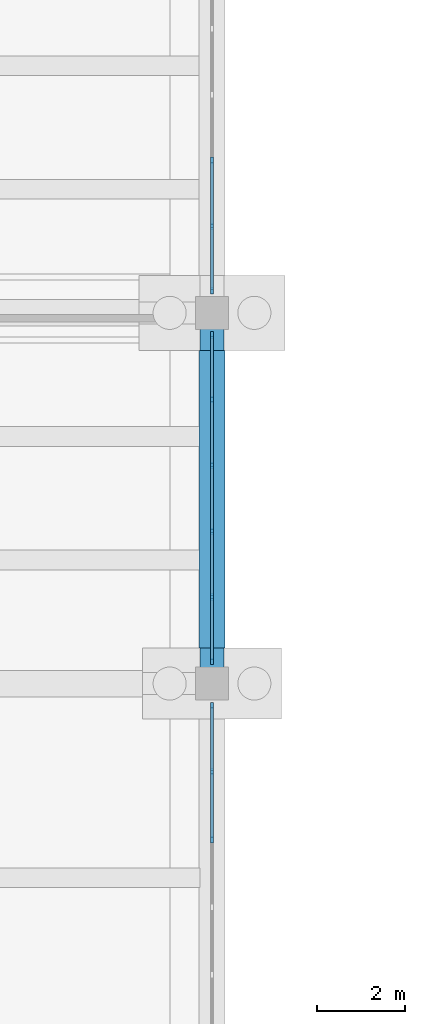
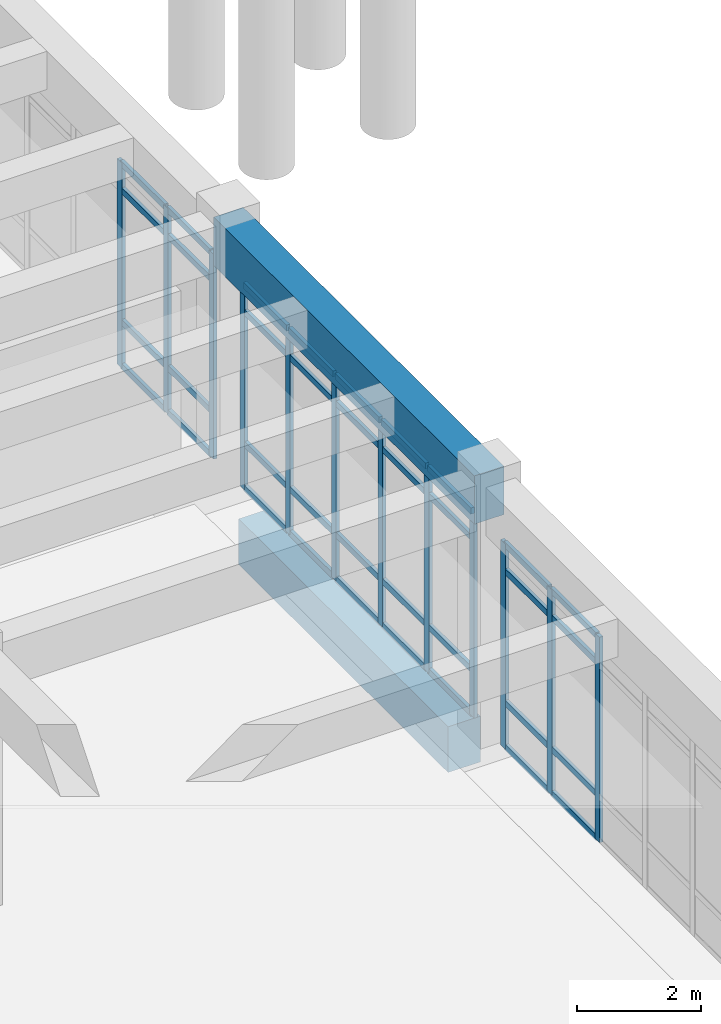
# One storey, part 21 of 102: 48 members, 2 beams, 3 elements without a shape of their own.
"""IFC4 building model written with IfcOpenShell, lengths in metres."""

import ifcopenshell
import ifcopenshell.guid

model = None  # the IFC model being written
_history = None  # IfcOwnerHistory: only IFC2X3 demands one
_inside = {}  # id of a spatial element -> (the spatial element, [elements in it])
_under = {}  # id of a project, library or spatial element -> (it, [spatial elements below it])
_declared = {}  # id of a project -> (the project, [libraries it declares])
_typed = {}  # id of a type object -> (the type object, [elements of that type])
_made_of = {}  # id of a material, layer set ... -> (it, [elements and type objects made of it])


def new_model(schema):
    """Start an empty IFC model of exactly this schema.

    Asked for "IFC4X3", IfcOpenShell would pick the latest addendum, in which some entities
    have other attributes; the version numbers below select the first issue.
    IFC2X3 requires an IfcOwnerHistory on every rooted entity: one is made here for all.
    """
    global model, _history
    if schema == "IFC4X3":
        model = ifcopenshell.file(schema_version=(4, 3, 0, 0))
    else:
        model = ifcopenshell.file(schema=schema)
    _inside.clear()
    _under.clear()
    _declared.clear()
    _typed.clear()
    _made_of.clear()
    _history = None
    if model.schema == "IFC2X3":
        org = make("IfcOrganization", Name="unknown")
        user = make(
            "IfcPersonAndOrganization",
            ThePerson=make("IfcPerson", FamilyName="unknown"),
            TheOrganization=org,
        )
        app = make(
            "IfcApplication",
            ApplicationDeveloper=org,
            Version="unknown",
            ApplicationFullName="unknown",
            ApplicationIdentifier="unknown",
        )
        _history = make(
            "IfcOwnerHistory",
            OwningUser=user,
            OwningApplication=app,
            ChangeAction="ADDED",
            CreationDate=0,
        )
    return model


def make(cls, **values):
    """One entity of the class cls with the attributes given. An attribute that is None is left unset."""
    return model.create_entity(
        cls, **{name: value for name, value in values.items() if value is not None}
    )


def rooted(cls, **values):
    """An entity with a GlobalId (a new one), such as an element, a storey or a relation."""
    return make(cls, GlobalId=ifcopenshell.guid.new(), OwnerHistory=_history, **values)


def si_unit(unit_type, name, prefix=None):
    """IfcSIUnit, for example si_unit("LENGTHUNIT", "METRE", prefix="MILLI")."""
    return make("IfcSIUnit", UnitType=unit_type, Prefix=prefix, Name=name)


def assignment(units):
    """IfcUnitAssignment: the units of a project."""
    return None if units is None else make("IfcUnitAssignment", Units=units)


def point(xyz):
    """IfcCartesianPoint."""
    return None if xyz is None else make("IfcCartesianPoint", Coordinates=xyz)


def direction(xyz):
    """IfcDirection."""
    return None if xyz is None else make("IfcDirection", DirectionRatios=xyz)


def frame(location, z_axis=None, x_axis=None):
    """IfcAxis2Placement3D, a coordinate frame: its origin and axes. An axis left out is left unset."""
    return make(
        "IfcAxis2Placement3D",
        Location=point(location),
        Axis=direction(z_axis),
        RefDirection=direction(x_axis),
    )


def frame_2d(location, x_axis=None):
    """IfcAxis2Placement2D, a coordinate frame in the plane: its origin and x axis."""
    return make(
        "IfcAxis2Placement2D", Location=point(location), RefDirection=direction(x_axis)
    )


def origin():
    """The frame at (0, 0, 0) with its axes left unset."""
    return frame((0.0, 0.0, 0.0))


def origin_2d():
    """The frame at (0, 0) in the plane with its x axis left unset."""
    return frame_2d((0.0, 0.0))


def place(relative_to, where):
    """IfcLocalPlacement: puts the frame where relative to a parent placement (None: the world)."""
    return make(
        "IfcLocalPlacement", PlacementRelTo=relative_to, RelativePlacement=where
    )


def context(
    kind, dimensions, precision=None, world=None, true_north=None, identifier=None
):
    """IfcGeometricRepresentationContext, for example the 3D "Model" context."""
    return make(
        "IfcGeometricRepresentationContext",
        ContextIdentifier=identifier,
        ContextType=kind,
        CoordinateSpaceDimension=dimensions,
        Precision=precision,
        WorldCoordinateSystem=world,
        TrueNorth=true_north,
    )


def subcontext(parent, identifier, kind, view, scale=None):
    """IfcGeometricRepresentationSubContext, for example "Body" below "Model"."""
    return make(
        "IfcGeometricRepresentationSubContext",
        ContextIdentifier=identifier,
        ContextType=kind,
        ParentContext=parent,
        TargetScale=scale,
        TargetView=view,
    )


def project(units=None, contexts=None):
    """IfcProject with its units and contexts."""
    return rooted(
        "IfcProject",
        Name="project",
        RepresentationContexts=contexts,
        UnitsInContext=assignment(units),
    )


def spatial(cls, under=None, at=None, **own):
    """A site, building, storey or space (cls), placed at a placement, below another one or the project."""
    s = rooted(cls, ObjectPlacement=at, **own)
    if under is not None:
        _under.setdefault(under.id(), (under, []))[1].append(s)
    return s


def profile(cls, at=None, kind="AREA", **sizes):
    """A parametric profile (cls). Its sizes go by their IFC names, for example OverallWidth=200.0."""
    return make(cls, ProfileType=kind, Position=at, **sizes)


def rectangle(**sizes):
    """IfcRectangleProfileDef."""
    return profile("IfcRectangleProfileDef", **sizes)


def extrude(swept, where, along, depth):
    """IfcExtrudedAreaSolid: the profile swept, set in the frame where, extruded along a direction by depth."""
    return make(
        "IfcExtrudedAreaSolid",
        SweptArea=swept,
        Position=where,
        ExtrudedDirection=direction(along),
        Depth=depth,
    )


def shape(context_of_items, identifier, shape_type, items):
    """IfcShapeRepresentation: the items that make up one representation, for example the "Body"."""
    return make(
        "IfcShapeRepresentation",
        ContextOfItems=context_of_items,
        RepresentationIdentifier=identifier,
        RepresentationType=shape_type,
        Items=items,
    )


def material(Name=None, Category=None):
    """IfcMaterial."""
    return make("IfcMaterial", Name=Name, Category=Category)


def layer(
    of_material, thickness, ventilated=None, Name=None, Category=None, Priority=None
):
    """IfcMaterialLayer: one layer of a wall or slab, of a material (None: an air gap)."""
    return make(
        "IfcMaterialLayer",
        Material=of_material,
        LayerThickness=thickness,
        IsVentilated=ventilated,
        Name=Name,
        Category=Category,
        Priority=Priority,
    )


def layer_set(layers, Name=None):
    """IfcMaterialLayerSet."""
    return make("IfcMaterialLayerSet", MaterialLayers=layers, LayerSetName=Name)


def material_profile(
    of_material, cross_section, Name=None, Category=None, Priority=None
):
    """IfcMaterialProfile: a cross section and its material."""
    return make(
        "IfcMaterialProfile",
        Name=Name,
        Material=of_material,
        Profile=cross_section,
        Priority=Priority,
        Category=Category,
    )


def profile_set(profiles, Name=None, composite=None):
    """IfcMaterialProfileSet."""
    return make(
        "IfcMaterialProfileSet",
        Name=Name,
        MaterialProfiles=profiles,
        CompositeProfile=composite,
    )


def made_of(thing, what):
    """Note that an element or type object is made of a material, layer set ...; save() writes the relation."""
    if what is not None:
        _made_of.setdefault(what.id(), (what, []))[1].append(thing)
    return thing


def type_object(cls, material=None, **own):
    """A type object (cls), such as IfcWallType, which elements share."""
    return made_of(rooted(cls, **own), material)


def element(
    cls,
    number,
    at=None,
    inside=None,
    cuts=None,
    type_object=None,
    material=None,
    context=None,
    identifier="Body",
    shape_type=None,
    held_by="IfcProductDefinitionShape",
    body=None,
    shapes=None,
    **own,
):
    """One element of the class cls, such as IfcWall. Its Tag is "e" and its number.

    at: its placement. inside: the storey or other place that contains it. cuts: it is an
    opening in that element (IfcRelVoidsElement). A single representation is given by context,
    identifier, shape_type and body (its items); several are given by shapes. held_by: the class
    of the entity that holds the representations. save() writes the other relations.
    """
    e = rooted(cls, Tag="e%d" % number, ObjectPlacement=at, **own)
    if body is not None:
        shapes = [shape(context, identifier, shape_type, body)]
    if shapes is not None:
        e.Representation = make(held_by, Representations=shapes)
    if inside is not None:
        _inside.setdefault(inside.id(), (inside, []))[1].append(e)
    if cuts is not None:
        rooted(
            "IfcRelVoidsElement", RelatingBuildingElement=cuts, RelatedOpeningElement=e
        )
    if type_object is not None:
        _typed.setdefault(type_object.id(), (type_object, []))[1].append(e)
    return made_of(e, material)


def aggregate(whole, parts):
    """IfcRelAggregates: a whole, such as a stair, and the parts it consists of."""
    return rooted("IfcRelAggregates", RelatingObject=whole, RelatedObjects=parts)


def save(model, path):
    """Write the relations noted so far, then the file.

    IfcRelAggregates (storeys below a building ...), IfcRelContainedInSpatialStructure (elements
    in a storey), IfcRelDefinesByType, IfcRelAssociatesMaterial and IfcRelDeclares: one each for
    every whole, place, type object, material and project.
    """
    for whole, parts in _under.values():
        aggregate(whole, parts)
    for where, things in _inside.values():
        rooted(
            "IfcRelContainedInSpatialStructure",
            RelatedElements=things,
            RelatingStructure=where,
        )
    for kind, things in _typed.values():
        rooted("IfcRelDefinesByType", RelatedObjects=things, RelatingType=kind)
    for what, things in _made_of.values():
        rooted("IfcRelAssociatesMaterial", RelatedObjects=things, RelatingMaterial=what)
    for by, libraries in _declared.values():
        rooted("IfcRelDeclares", RelatingContext=by, RelatedDefinitions=libraries)
    model.write(path)


model = new_model("IFC4")

# Units and contexts
model_context = context("Model", 3, precision=1e-05, world=origin(), true_north=direction((0.0, 1.0)))
body_context = subcontext(model_context, "Body", "Model", "MODEL_VIEW")
ifc_project = project(units=[si_unit("LENGTHUNIT", "METRE"), si_unit("AREAUNIT", "SQUARE_METRE"), si_unit("VOLUMEUNIT", "CUBIC_METRE"), si_unit("PLANEANGLEUNIT", "RADIAN"), si_unit("MASSUNIT", "GRAM", prefix="KILO")], contexts=[model_context])

# Site, building, storey
site_placement = place(None, origin())
site = spatial("IfcSite", under=ifc_project, at=site_placement, CompositionType="ELEMENT")
building_placement = place(site_placement, origin())
building = spatial("IfcBuilding", under=site, at=building_placement, Name="Kolvemor Railside Polytechnic", CompositionType="ELEMENT")
storey_placement = place(building_placement, origin())
storey = spatial("IfcBuildingStorey", under=building, at=storey_placement, Name="L00", CompositionType="ELEMENT", Elevation=0.0)

# Beams
ifc_material_1 = material(Name="Concrete C40/50", Category="concrete")
ifc_material_profile_1 = material_profile(ifc_material_1, rectangle(XDim=0.550048828125, YDim=0.949951171875, at=origin_2d()), Name="RC550x950")
ifc_profile_set_1 = profile_set([ifc_material_profile_1], Name="Concrete C40/50")
beam_type_1 = type_object("IfcBeamType", Name="BM-RC-GIRD", PredefinedType="BEAM", material=ifc_profile_set_1)
beam_1_placement = place(storey_placement, frame((48.0, 51.60009765625, 4.635009765625), z_axis=(0.0, 1.0, 0.0), x_axis=(-1.0, 0.0, 0.0)))
element("IfcBeam", 1, at=beam_1_placement, inside=storey, type_object=beam_type_1, Name="Primary Girder L01-GY 0101", PredefinedType="BEAM", context=body_context, shape_type="SweptSolid", body=[
    extrude(rectangle(XDim=0.550048828125, YDim=0.949951171875, at=origin_2d()), origin(), (0.0, 0.0, 1.0), 8.39990234375),
])
ifc_material_2 = material(Name="Concrete C40/50", Category="concrete")
ifc_material_profile_2 = material_profile(ifc_material_2, rectangle(XDim=0.60009765625, YDim=0.89990234375, at=origin_2d()), Name="RC600x900")
ifc_profile_set_2 = profile_set([ifc_material_profile_2], Name="Concrete C40/50")
beam_type_2 = type_object("IfcBeamType", Name="BM-RC-TIE", PredefinedType="BEAM", material=ifc_profile_set_2)
beam_2_placement = place(storey_placement, frame((48.0, 52.402099609375, -0.75), z_axis=(0.0, 1.0, 0.0), x_axis=(-1.0, 0.0, 0.0)))
element("IfcBeam", 2, at=beam_2_placement, inside=storey, type_object=beam_type_2, Name="Ground Tie Beam GTB-Y293", PredefinedType="BEAM", context=body_context, shape_type="SweptSolid", body=[
    extrude(rectangle(XDim=0.60009765625, YDim=0.89990234375, at=origin_2d()), origin(), (0.0, 0.0, 1.0), 6.745849609375),
])

# Curtain wall, members
ifc_material_3 = material(Name="Anodised marine aluminium and laminated low-E glass", Category="aluminium")
ifc_layer = layer(ifc_material_3, 0.179931640625, Name="CW-UNIT-STD")
ifc_layer_set = layer_set([ifc_layer], Name="Anodised marine aluminium and laminated low-E glass")
curtain_wall_type = type_object("IfcCurtainWallType", Name="CW-UNIT-STD", PredefinedType="USERDEFINED", material=ifc_layer_set)
curtain_wall_1_placement = place(storey_placement, origin())
curtain_wall_1 = element("IfcCurtainWall", 3, at=curtain_wall_1_placement, inside=storey, type_object=curtain_wall_type, Name="Curtain Wall L00-055", ObjectType="UNITISED CURTAIN WALL", PredefinedType="USERDEFINED")
ifc_material_4 = material(Name="Anodised marine aluminium 6063-T6", Category="aluminium")
ifc_material_profile_3 = material_profile(ifc_material_4, rectangle(XDim=0.06494140625, YDim=0.14990234375, at=origin_2d()), Name="CW-MUL-65x150")
ifc_profile_set_3 = profile_set([ifc_material_profile_3], Name="Anodised marine aluminium 6063-T6")
member_type_1 = type_object("IfcMemberType", Name="CWM-65x150", PredefinedType="MULLION", material=ifc_profile_set_3)
member_1_placement = place(storey_placement, frame((48.0, 48.06494140625, 0.0), z_axis=(0.0, 0.0, 1.0), x_axis=(-1.0, 0.0, 0.0)))
member_1 = element("IfcMember", 4, at=member_1_placement, type_object=member_type_1, Name="CW-STD mullion 7", PredefinedType="MULLION", context=body_context, shape_type="SweptSolid", body=[
    extrude(rectangle(XDim=0.06494140625, YDim=0.14990234375, at=origin_2d()), origin(), (0.0, 0.0, 1.0), 4.0400390625),
])
member_2_placement = place(storey_placement, frame((48.0, 49.597412109375, 0.0), z_axis=(0.0, 0.0, 1.0), x_axis=(-1.0, 0.0, 0.0)))
member_2 = element("IfcMember", 5, at=member_2_placement, type_object=member_type_1, Name="CW-STD mullion 8", PredefinedType="MULLION", context=body_context, shape_type="SweptSolid", body=[
    extrude(rectangle(XDim=0.06494140625, YDim=0.14990234375, at=origin_2d()), origin(), (0.0, 0.0, 1.0), 4.0400390625),
])
member_3_placement = place(storey_placement, frame((48.0, 51.097412109375, 0.0), z_axis=(0.0, 0.0, 1.0), x_axis=(-1.0, 0.0, 0.0)))
member_3 = element("IfcMember", 6, at=member_3_placement, type_object=member_type_1, Name="CW-STD mullion 9", PredefinedType="MULLION", context=body_context, shape_type="SweptSolid", body=[
    extrude(rectangle(XDim=0.06494140625, YDim=0.14990234375, at=origin_2d()), origin(), (0.0, 0.0, 1.0), 4.0400390625),
])

curtain_wall_2_placement = place(storey_placement, origin())
curtain_wall_2 = element("IfcCurtainWall", 7, at=curtain_wall_2_placement, inside=storey, type_object=curtain_wall_type, Name="Curtain Wall L00-065", ObjectType="UNITISED CURTAIN WALL", PredefinedType="USERDEFINED")
member_4_placement = place(storey_placement, frame((48.0, 52.1025390625, 0.0), z_axis=(0.0, 0.0, 1.0), x_axis=(-1.0, 0.0, 0.0)))
member_4 = element("IfcMember", 8, at=member_4_placement, type_object=member_type_1, Name="CW-STD mullion 1", PredefinedType="MULLION", context=body_context, shape_type="SweptSolid", body=[
    extrude(rectangle(XDim=0.06494140625, YDim=0.14990234375, at=origin_2d()), origin(), (0.0, 0.0, 1.0), 4.0400390625),
])
member_5_placement = place(storey_placement, frame((48.0, 53.56201171875, 0.0), z_axis=(0.0, 0.0, 1.0), x_axis=(-1.0, 0.0, 0.0)))
member_5 = element("IfcMember", 9, at=member_5_placement, type_object=member_type_1, Name="CW-STD mullion 2", PredefinedType="MULLION", context=body_context, shape_type="SweptSolid", body=[
    extrude(rectangle(XDim=0.06494140625, YDim=0.14990234375, at=origin_2d()), origin(), (0.0, 0.0, 1.0), 4.0400390625),
])
member_6_placement = place(storey_placement, frame((48.0, 55.053955078125, 0.0), z_axis=(0.0, 0.0, 1.0), x_axis=(-1.0, 0.0, 0.0)))
member_6 = element("IfcMember", 10, at=member_6_placement, type_object=member_type_1, Name="CW-STD mullion 3", PredefinedType="MULLION", context=body_context, shape_type="SweptSolid", body=[
    extrude(rectangle(XDim=0.06494140625, YDim=0.14990234375, at=origin_2d()), origin(), (0.0, 0.0, 1.0), 4.0400390625),
])
member_7_placement = place(storey_placement, frame((48.0, 56.5458984375, 0.0), z_axis=(0.0, 0.0, 1.0), x_axis=(-1.0, 0.0, 0.0)))
member_7 = element("IfcMember", 11, at=member_7_placement, type_object=member_type_1, Name="CW-STD mullion 4", PredefinedType="MULLION", context=body_context, shape_type="SweptSolid", body=[
    extrude(rectangle(XDim=0.06494140625, YDim=0.14990234375, at=origin_2d()), origin(), (0.0, 0.0, 1.0), 4.0400390625),
])
member_8_placement = place(storey_placement, frame((48.0, 58.0380859375, 0.0), z_axis=(0.0, 0.0, 1.0), x_axis=(-1.0, 0.0, 0.0)))
member_8 = element("IfcMember", 12, at=member_8_placement, type_object=member_type_1, Name="CW-STD mullion 5", PredefinedType="MULLION", context=body_context, shape_type="SweptSolid", body=[
    extrude(rectangle(XDim=0.06494140625, YDim=0.14990234375, at=origin_2d()), origin(), (0.0, 0.0, 1.0), 4.0400390625),
])
member_9_placement = place(storey_placement, frame((48.0, 59.49755859375, 0.0), z_axis=(0.0, 0.0, 1.0), x_axis=(-1.0, 0.0, 0.0)))
member_9 = element("IfcMember", 13, at=member_9_placement, type_object=member_type_1, Name="CW-STD mullion 6", PredefinedType="MULLION", context=body_context, shape_type="SweptSolid", body=[
    extrude(rectangle(XDim=0.06494140625, YDim=0.14990234375, at=origin_2d()), origin(), (0.0, 0.0, 1.0), 4.0400390625),
])

curtain_wall_3_placement = place(storey_placement, origin())
curtain_wall_3 = element("IfcCurtainWall", 14, at=curtain_wall_3_placement, inside=storey, type_object=curtain_wall_type, Name="Curtain Wall L00-075", ObjectType="UNITISED CURTAIN WALL", PredefinedType="USERDEFINED")
member_10_placement = place(storey_placement, frame((48.0, 60.50244140625, 0.0), z_axis=(0.0, 0.0, 1.0), x_axis=(-1.0, 0.0, 0.0)))
member_10 = element("IfcMember", 15, at=member_10_placement, type_object=member_type_1, Name="CW-STD mullion 1", PredefinedType="MULLION", context=body_context, shape_type="SweptSolid", body=[
    extrude(rectangle(XDim=0.06494140625, YDim=0.14990234375, at=origin_2d()), origin(), (0.0, 0.0, 1.0), 4.0400390625),
])
member_11_placement = place(storey_placement, frame((48.0, 61.9619140625, 0.0), z_axis=(0.0, 0.0, 1.0), x_axis=(-1.0, 0.0, 0.0)))
member_11 = element("IfcMember", 16, at=member_11_placement, type_object=member_type_1, Name="CW-STD mullion 2", PredefinedType="MULLION", context=body_context, shape_type="SweptSolid", body=[
    extrude(rectangle(XDim=0.06494140625, YDim=0.14990234375, at=origin_2d()), origin(), (0.0, 0.0, 1.0), 4.0400390625),
])
member_12_placement = place(storey_placement, frame((48.0, 63.4541015625, 0.0), z_axis=(0.0, 0.0, 1.0), x_axis=(-1.0, 0.0, 0.0)))
member_12 = element("IfcMember", 17, at=member_12_placement, type_object=member_type_1, Name="CW-STD mullion 3", PredefinedType="MULLION", context=body_context, shape_type="SweptSolid", body=[
    extrude(rectangle(XDim=0.06494140625, YDim=0.14990234375, at=origin_2d()), origin(), (0.0, 0.0, 1.0), 4.0400390625),
])

# Member
ifc_material_5 = material(Name="Anodised marine aluminium 6063-T6", Category="aluminium")
ifc_material_profile_4 = material_profile(ifc_material_5, rectangle(XDim=0.06494140625, YDim=0.1201171875, at=origin_2d()), Name="CW-TRN-65x120")
ifc_profile_set_4 = profile_set([ifc_material_profile_4], Name="Anodised marine aluminium 6063-T6")
member_type_2 = type_object("IfcMemberType", Name="CWT-65x120", PredefinedType="USERDEFINED", material=ifc_profile_set_4)
member_13_placement = place(storey_placement, frame((48.0, 48.097412109375, 0.032470703125), z_axis=(0.0, 1.0, 0.0), x_axis=(-1.0, 0.0, 0.0)))
member_13 = element("IfcMember", 18, at=member_13_placement, type_object=member_type_2, Name="CW-STD transom 7.1", ObjectType="TRANSOM", PredefinedType="USERDEFINED", context=body_context, shape_type="SweptSolid", body=[
    extrude(rectangle(XDim=0.06494140625, YDim=0.1201171875, at=origin_2d()), origin(), (0.0, 0.0, 1.0), 1.467529296875),
])

member_14_placement = place(storey_placement, frame((48.0, 48.097412109375, 0.89990234375), z_axis=(0.0, 1.0, 0.0), x_axis=(-1.0, 0.0, 0.0)))
member_14 = element("IfcMember", 19, at=member_14_placement, type_object=member_type_2, Name="CW-STD transom 7.2", ObjectType="TRANSOM", PredefinedType="USERDEFINED", context=body_context, shape_type="SweptSolid", body=[
    extrude(rectangle(XDim=0.06494140625, YDim=0.1201171875, at=origin_2d()), origin(), (0.0, 0.0, 1.0), 1.467529296875),
])

member_15_placement = place(storey_placement, frame((48.0, 48.097412109375, 3.489990234375), z_axis=(0.0, 1.0, 0.0), x_axis=(-1.0, 0.0, 0.0)))
member_15 = element("IfcMember", 20, at=member_15_placement, type_object=member_type_2, Name="CW-STD transom 7.3", ObjectType="TRANSOM", PredefinedType="USERDEFINED", context=body_context, shape_type="SweptSolid", body=[
    extrude(rectangle(XDim=0.06494140625, YDim=0.1201171875, at=origin_2d()), origin(), (0.0, 0.0, 1.0), 1.467529296875),
])

member_16_placement = place(storey_placement, frame((48.0, 48.097412109375, 4.007568359375), z_axis=(0.0, 1.0, 0.0), x_axis=(-1.0, 0.0, 0.0)))
member_16 = element("IfcMember", 21, at=member_16_placement, type_object=member_type_2, Name="CW-STD transom 7.4", ObjectType="TRANSOM", PredefinedType="USERDEFINED", context=body_context, shape_type="SweptSolid", body=[
    extrude(rectangle(XDim=0.06494140625, YDim=0.1201171875, at=origin_2d()), origin(), (0.0, 0.0, 1.0), 1.467529296875),
])

member_17_placement = place(storey_placement, frame((48.0, 49.6298828125, 0.032470703125), z_axis=(0.0, 1.0, 0.0), x_axis=(-1.0, 0.0, 0.0)))
member_17 = element("IfcMember", 22, at=member_17_placement, type_object=member_type_2, Name="CW-STD transom 8.1", ObjectType="TRANSOM", PredefinedType="USERDEFINED", context=body_context, shape_type="SweptSolid", body=[
    extrude(rectangle(XDim=0.06494140625, YDim=0.1201171875, at=origin_2d()), origin(), (0.0, 0.0, 1.0), 1.43505859375),
])

member_18_placement = place(storey_placement, frame((48.0, 49.6298828125, 0.89990234375), z_axis=(0.0, 1.0, 0.0), x_axis=(-1.0, 0.0, 0.0)))
member_18 = element("IfcMember", 23, at=member_18_placement, type_object=member_type_2, Name="CW-STD transom 8.2", ObjectType="TRANSOM", PredefinedType="USERDEFINED", context=body_context, shape_type="SweptSolid", body=[
    extrude(rectangle(XDim=0.06494140625, YDim=0.1201171875, at=origin_2d()), origin(), (0.0, 0.0, 1.0), 1.43505859375),
])

member_19_placement = place(storey_placement, frame((48.0, 49.6298828125, 3.489990234375), z_axis=(0.0, 1.0, 0.0), x_axis=(-1.0, 0.0, 0.0)))
member_19 = element("IfcMember", 24, at=member_19_placement, type_object=member_type_2, Name="CW-STD transom 8.3", ObjectType="TRANSOM", PredefinedType="USERDEFINED", context=body_context, shape_type="SweptSolid", body=[
    extrude(rectangle(XDim=0.06494140625, YDim=0.1201171875, at=origin_2d()), origin(), (0.0, 0.0, 1.0), 1.43505859375),
])

member_20_placement = place(storey_placement, frame((48.0, 49.6298828125, 4.007568359375), z_axis=(0.0, 1.0, 0.0), x_axis=(-1.0, 0.0, 0.0)))
member_20 = element("IfcMember", 25, at=member_20_placement, type_object=member_type_2, Name="CW-STD transom 8.4", ObjectType="TRANSOM", PredefinedType="USERDEFINED", context=body_context, shape_type="SweptSolid", body=[
    extrude(rectangle(XDim=0.06494140625, YDim=0.1201171875, at=origin_2d()), origin(), (0.0, 0.0, 1.0), 1.43505859375),
])

aggregate(curtain_wall_1, [member_1, member_2, member_3, member_13, member_14, member_15, member_16, member_17, member_18, member_19, member_20])

member_21_placement = place(storey_placement, frame((48.0, 52.135009765625, 0.032470703125), z_axis=(0.0, 1.0, 0.0), x_axis=(-1.0, 0.0, 0.0)))
member_21 = element("IfcMember", 26, at=member_21_placement, type_object=member_type_2, Name="CW-STD transom 1.1", ObjectType="TRANSOM", PredefinedType="USERDEFINED", context=body_context, shape_type="SweptSolid", body=[
    extrude(rectangle(XDim=0.06494140625, YDim=0.1201171875, at=origin_2d()), origin(), (0.0, 0.0, 1.0), 1.39453125),
])

member_22_placement = place(storey_placement, frame((48.0, 52.135009765625, 0.89990234375), z_axis=(0.0, 1.0, 0.0), x_axis=(-1.0, 0.0, 0.0)))
member_22 = element("IfcMember", 27, at=member_22_placement, type_object=member_type_2, Name="CW-STD transom 1.2", ObjectType="TRANSOM", PredefinedType="USERDEFINED", context=body_context, shape_type="SweptSolid", body=[
    extrude(rectangle(XDim=0.06494140625, YDim=0.1201171875, at=origin_2d()), origin(), (0.0, 0.0, 1.0), 1.39453125),
])

member_23_placement = place(storey_placement, frame((48.0, 52.135009765625, 3.489990234375), z_axis=(0.0, 1.0, 0.0), x_axis=(-1.0, 0.0, 0.0)))
member_23 = element("IfcMember", 28, at=member_23_placement, type_object=member_type_2, Name="CW-STD transom 1.3", ObjectType="TRANSOM", PredefinedType="USERDEFINED", context=body_context, shape_type="SweptSolid", body=[
    extrude(rectangle(XDim=0.06494140625, YDim=0.1201171875, at=origin_2d()), origin(), (0.0, 0.0, 1.0), 1.39453125),
])

member_24_placement = place(storey_placement, frame((48.0, 52.135009765625, 4.007568359375), z_axis=(0.0, 1.0, 0.0), x_axis=(-1.0, 0.0, 0.0)))
member_24 = element("IfcMember", 29, at=member_24_placement, type_object=member_type_2, Name="CW-STD transom 1.4", ObjectType="TRANSOM", PredefinedType="USERDEFINED", context=body_context, shape_type="SweptSolid", body=[
    extrude(rectangle(XDim=0.06494140625, YDim=0.1201171875, at=origin_2d()), origin(), (0.0, 0.0, 1.0), 1.39453125),
])

member_25_placement = place(storey_placement, frame((48.0, 53.594482421875, 0.032470703125), z_axis=(0.0, 1.0, 0.0), x_axis=(-1.0, 0.0, 0.0)))
member_25 = element("IfcMember", 30, at=member_25_placement, type_object=member_type_2, Name="CW-STD transom 2.1", ObjectType="TRANSOM", PredefinedType="USERDEFINED", context=body_context, shape_type="SweptSolid", body=[
    extrude(rectangle(XDim=0.06494140625, YDim=0.1201171875, at=origin_2d()), origin(), (0.0, 0.0, 1.0), 1.427001953125),
])

member_26_placement = place(storey_placement, frame((48.0, 53.594482421875, 0.89990234375), z_axis=(0.0, 1.0, 0.0), x_axis=(-1.0, 0.0, 0.0)))
member_26 = element("IfcMember", 31, at=member_26_placement, type_object=member_type_2, Name="CW-STD transom 2.2", ObjectType="TRANSOM", PredefinedType="USERDEFINED", context=body_context, shape_type="SweptSolid", body=[
    extrude(rectangle(XDim=0.06494140625, YDim=0.1201171875, at=origin_2d()), origin(), (0.0, 0.0, 1.0), 1.427001953125),
])

member_27_placement = place(storey_placement, frame((48.0, 53.594482421875, 3.489990234375), z_axis=(0.0, 1.0, 0.0), x_axis=(-1.0, 0.0, 0.0)))
member_27 = element("IfcMember", 32, at=member_27_placement, type_object=member_type_2, Name="CW-STD transom 2.3", ObjectType="TRANSOM", PredefinedType="USERDEFINED", context=body_context, shape_type="SweptSolid", body=[
    extrude(rectangle(XDim=0.06494140625, YDim=0.1201171875, at=origin_2d()), origin(), (0.0, 0.0, 1.0), 1.427001953125),
])

member_28_placement = place(storey_placement, frame((48.0, 53.594482421875, 4.007568359375), z_axis=(0.0, 1.0, 0.0), x_axis=(-1.0, 0.0, 0.0)))
member_28 = element("IfcMember", 33, at=member_28_placement, type_object=member_type_2, Name="CW-STD transom 2.4", ObjectType="TRANSOM", PredefinedType="USERDEFINED", context=body_context, shape_type="SweptSolid", body=[
    extrude(rectangle(XDim=0.06494140625, YDim=0.1201171875, at=origin_2d()), origin(), (0.0, 0.0, 1.0), 1.427001953125),
])

member_29_placement = place(storey_placement, frame((48.0, 55.08642578125, 0.032470703125), z_axis=(0.0, 1.0, 0.0), x_axis=(-1.0, 0.0, 0.0)))
member_29 = element("IfcMember", 34, at=member_29_placement, type_object=member_type_2, Name="CW-STD transom 3.1", ObjectType="TRANSOM", PredefinedType="USERDEFINED", context=body_context, shape_type="SweptSolid", body=[
    extrude(rectangle(XDim=0.06494140625, YDim=0.1201171875, at=origin_2d()), origin(), (0.0, 0.0, 1.0), 1.427001953125),
])

member_30_placement = place(storey_placement, frame((48.0, 55.08642578125, 0.89990234375), z_axis=(0.0, 1.0, 0.0), x_axis=(-1.0, 0.0, 0.0)))
member_30 = element("IfcMember", 35, at=member_30_placement, type_object=member_type_2, Name="CW-STD transom 3.2", ObjectType="TRANSOM", PredefinedType="USERDEFINED", context=body_context, shape_type="SweptSolid", body=[
    extrude(rectangle(XDim=0.06494140625, YDim=0.1201171875, at=origin_2d()), origin(), (0.0, 0.0, 1.0), 1.427001953125),
])

member_31_placement = place(storey_placement, frame((48.0, 55.08642578125, 3.489990234375), z_axis=(0.0, 1.0, 0.0), x_axis=(-1.0, 0.0, 0.0)))
member_31 = element("IfcMember", 36, at=member_31_placement, type_object=member_type_2, Name="CW-STD transom 3.3", ObjectType="TRANSOM", PredefinedType="USERDEFINED", context=body_context, shape_type="SweptSolid", body=[
    extrude(rectangle(XDim=0.06494140625, YDim=0.1201171875, at=origin_2d()), origin(), (0.0, 0.0, 1.0), 1.427001953125),
])

member_32_placement = place(storey_placement, frame((48.0, 55.08642578125, 4.007568359375), z_axis=(0.0, 1.0, 0.0), x_axis=(-1.0, 0.0, 0.0)))
member_32 = element("IfcMember", 37, at=member_32_placement, type_object=member_type_2, Name="CW-STD transom 3.4", ObjectType="TRANSOM", PredefinedType="USERDEFINED", context=body_context, shape_type="SweptSolid", body=[
    extrude(rectangle(XDim=0.06494140625, YDim=0.1201171875, at=origin_2d()), origin(), (0.0, 0.0, 1.0), 1.427001953125),
])

member_33_placement = place(storey_placement, frame((48.0, 56.57861328125, 0.032470703125), z_axis=(0.0, 1.0, 0.0), x_axis=(-1.0, 0.0, 0.0)))
member_33 = element("IfcMember", 38, at=member_33_placement, type_object=member_type_2, Name="CW-STD transom 4.1", ObjectType="TRANSOM", PredefinedType="USERDEFINED", context=body_context, shape_type="SweptSolid", body=[
    extrude(rectangle(XDim=0.06494140625, YDim=0.1201171875, at=origin_2d()), origin(), (0.0, 0.0, 1.0), 1.427001953125),
])

member_34_placement = place(storey_placement, frame((48.0, 56.57861328125, 0.89990234375), z_axis=(0.0, 1.0, 0.0), x_axis=(-1.0, 0.0, 0.0)))
member_34 = element("IfcMember", 39, at=member_34_placement, type_object=member_type_2, Name="CW-STD transom 4.2", ObjectType="TRANSOM", PredefinedType="USERDEFINED", context=body_context, shape_type="SweptSolid", body=[
    extrude(rectangle(XDim=0.06494140625, YDim=0.1201171875, at=origin_2d()), origin(), (0.0, 0.0, 1.0), 1.427001953125),
])

member_35_placement = place(storey_placement, frame((48.0, 56.57861328125, 3.489990234375), z_axis=(0.0, 1.0, 0.0), x_axis=(-1.0, 0.0, 0.0)))
member_35 = element("IfcMember", 40, at=member_35_placement, type_object=member_type_2, Name="CW-STD transom 4.3", ObjectType="TRANSOM", PredefinedType="USERDEFINED", context=body_context, shape_type="SweptSolid", body=[
    extrude(rectangle(XDim=0.06494140625, YDim=0.1201171875, at=origin_2d()), origin(), (0.0, 0.0, 1.0), 1.427001953125),
])

member_36_placement = place(storey_placement, frame((48.0, 56.57861328125, 4.007568359375), z_axis=(0.0, 1.0, 0.0), x_axis=(-1.0, 0.0, 0.0)))
member_36 = element("IfcMember", 41, at=member_36_placement, type_object=member_type_2, Name="CW-STD transom 4.4", ObjectType="TRANSOM", PredefinedType="USERDEFINED", context=body_context, shape_type="SweptSolid", body=[
    extrude(rectangle(XDim=0.06494140625, YDim=0.1201171875, at=origin_2d()), origin(), (0.0, 0.0, 1.0), 1.427001953125),
])

member_37_placement = place(storey_placement, frame((48.0, 58.070556640625, 0.032470703125), z_axis=(0.0, 1.0, 0.0), x_axis=(-1.0, 0.0, 0.0)))
member_37 = element("IfcMember", 42, at=member_37_placement, type_object=member_type_2, Name="CW-STD transom 5.1", ObjectType="TRANSOM", PredefinedType="USERDEFINED", context=body_context, shape_type="SweptSolid", body=[
    extrude(rectangle(XDim=0.06494140625, YDim=0.1201171875, at=origin_2d()), origin(), (0.0, 0.0, 1.0), 1.39453125),
])

member_38_placement = place(storey_placement, frame((48.0, 58.070556640625, 0.89990234375), z_axis=(0.0, 1.0, 0.0), x_axis=(-1.0, 0.0, 0.0)))
member_38 = element("IfcMember", 43, at=member_38_placement, type_object=member_type_2, Name="CW-STD transom 5.2", ObjectType="TRANSOM", PredefinedType="USERDEFINED", context=body_context, shape_type="SweptSolid", body=[
    extrude(rectangle(XDim=0.06494140625, YDim=0.1201171875, at=origin_2d()), origin(), (0.0, 0.0, 1.0), 1.39453125),
])

member_39_placement = place(storey_placement, frame((48.0, 58.070556640625, 3.489990234375), z_axis=(0.0, 1.0, 0.0), x_axis=(-1.0, 0.0, 0.0)))
member_39 = element("IfcMember", 44, at=member_39_placement, type_object=member_type_2, Name="CW-STD transom 5.3", ObjectType="TRANSOM", PredefinedType="USERDEFINED", context=body_context, shape_type="SweptSolid", body=[
    extrude(rectangle(XDim=0.06494140625, YDim=0.1201171875, at=origin_2d()), origin(), (0.0, 0.0, 1.0), 1.39453125),
])

member_40_placement = place(storey_placement, frame((48.0, 58.070556640625, 4.007568359375), z_axis=(0.0, 1.0, 0.0), x_axis=(-1.0, 0.0, 0.0)))
member_40 = element("IfcMember", 45, at=member_40_placement, type_object=member_type_2, Name="CW-STD transom 5.4", ObjectType="TRANSOM", PredefinedType="USERDEFINED", context=body_context, shape_type="SweptSolid", body=[
    extrude(rectangle(XDim=0.06494140625, YDim=0.1201171875, at=origin_2d()), origin(), (0.0, 0.0, 1.0), 1.39453125),
])

aggregate(curtain_wall_2, [member_4, member_5, member_6, member_7, member_8, member_9, member_21, member_22, member_23, member_24, member_25, member_26, member_27, member_28, member_29, member_30, member_31, member_32, member_33, member_34, member_35, member_36, member_37, member_38, member_39, member_40])

member_41_placement = place(storey_placement, frame((48.0, 60.534912109375, 0.032470703125), z_axis=(0.0, 1.0, 0.0), x_axis=(-1.0, 0.0, 0.0)))
member_41 = element("IfcMember", 46, at=member_41_placement, type_object=member_type_2, Name="CW-STD transom 1.1", ObjectType="TRANSOM", PredefinedType="USERDEFINED", context=body_context, shape_type="SweptSolid", body=[
    extrude(rectangle(XDim=0.06494140625, YDim=0.1201171875, at=origin_2d()), origin(), (0.0, 0.0, 1.0), 1.39453125),
])

member_42_placement = place(storey_placement, frame((48.0, 60.534912109375, 0.89990234375), z_axis=(0.0, 1.0, 0.0), x_axis=(-1.0, 0.0, 0.0)))
member_42 = element("IfcMember", 47, at=member_42_placement, type_object=member_type_2, Name="CW-STD transom 1.2", ObjectType="TRANSOM", PredefinedType="USERDEFINED", context=body_context, shape_type="SweptSolid", body=[
    extrude(rectangle(XDim=0.06494140625, YDim=0.1201171875, at=origin_2d()), origin(), (0.0, 0.0, 1.0), 1.39453125),
])

member_43_placement = place(storey_placement, frame((48.0, 60.534912109375, 3.489990234375), z_axis=(0.0, 1.0, 0.0), x_axis=(-1.0, 0.0, 0.0)))
member_43 = element("IfcMember", 48, at=member_43_placement, type_object=member_type_2, Name="CW-STD transom 1.3", ObjectType="TRANSOM", PredefinedType="USERDEFINED", context=body_context, shape_type="SweptSolid", body=[
    extrude(rectangle(XDim=0.06494140625, YDim=0.1201171875, at=origin_2d()), origin(), (0.0, 0.0, 1.0), 1.39453125),
])

member_44_placement = place(storey_placement, frame((48.0, 60.534912109375, 4.007568359375), z_axis=(0.0, 1.0, 0.0), x_axis=(-1.0, 0.0, 0.0)))
member_44 = element("IfcMember", 49, at=member_44_placement, type_object=member_type_2, Name="CW-STD transom 1.4", ObjectType="TRANSOM", PredefinedType="USERDEFINED", context=body_context, shape_type="SweptSolid", body=[
    extrude(rectangle(XDim=0.06494140625, YDim=0.1201171875, at=origin_2d()), origin(), (0.0, 0.0, 1.0), 1.39453125),
])

member_45_placement = place(storey_placement, frame((48.0, 61.994384765625, 0.032470703125), z_axis=(0.0, 1.0, 0.0), x_axis=(-1.0, 0.0, 0.0)))
member_45 = element("IfcMember", 50, at=member_45_placement, type_object=member_type_2, Name="CW-STD transom 2.1", ObjectType="TRANSOM", PredefinedType="USERDEFINED", context=body_context, shape_type="SweptSolid", body=[
    extrude(rectangle(XDim=0.06494140625, YDim=0.1201171875, at=origin_2d()), origin(), (0.0, 0.0, 1.0), 1.427001953125),
])

member_46_placement = place(storey_placement, frame((48.0, 61.994384765625, 0.89990234375), z_axis=(0.0, 1.0, 0.0), x_axis=(-1.0, 0.0, 0.0)))
member_46 = element("IfcMember", 51, at=member_46_placement, type_object=member_type_2, Name="CW-STD transom 2.2", ObjectType="TRANSOM", PredefinedType="USERDEFINED", context=body_context, shape_type="SweptSolid", body=[
    extrude(rectangle(XDim=0.06494140625, YDim=0.1201171875, at=origin_2d()), origin(), (0.0, 0.0, 1.0), 1.427001953125),
])

member_47_placement = place(storey_placement, frame((48.0, 61.994384765625, 3.489990234375), z_axis=(0.0, 1.0, 0.0), x_axis=(-1.0, 0.0, 0.0)))
member_47 = element("IfcMember", 52, at=member_47_placement, type_object=member_type_2, Name="CW-STD transom 2.3", ObjectType="TRANSOM", PredefinedType="USERDEFINED", context=body_context, shape_type="SweptSolid", body=[
    extrude(rectangle(XDim=0.06494140625, YDim=0.1201171875, at=origin_2d()), origin(), (0.0, 0.0, 1.0), 1.427001953125),
])

member_48_placement = place(storey_placement, frame((48.0, 61.994384765625, 4.007568359375), z_axis=(0.0, 1.0, 0.0), x_axis=(-1.0, 0.0, 0.0)))
member_48 = element("IfcMember", 53, at=member_48_placement, type_object=member_type_2, Name="CW-STD transom 2.4", ObjectType="TRANSOM", PredefinedType="USERDEFINED", context=body_context, shape_type="SweptSolid", body=[
    extrude(rectangle(XDim=0.06494140625, YDim=0.1201171875, at=origin_2d()), origin(), (0.0, 0.0, 1.0), 1.427001953125),
])

aggregate(curtain_wall_3, [member_10, member_11, member_12, member_41, member_42, member_43, member_44, member_45, member_46, member_47, member_48])

save(model, "model.ifc")
